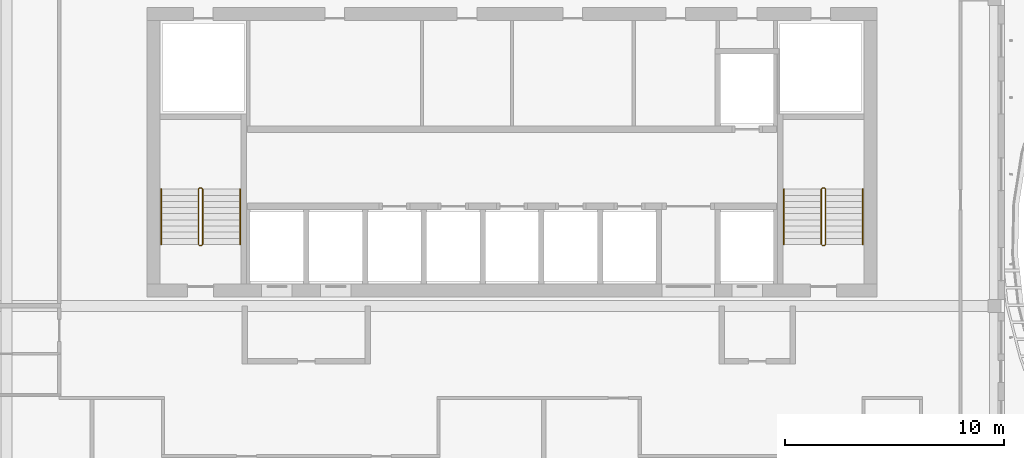
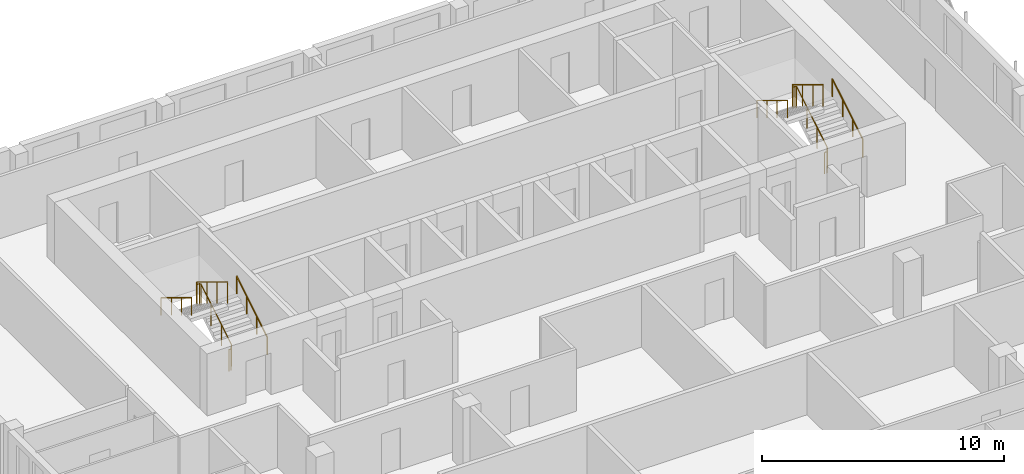
# One storey, part 17 of 18: 6 railings.
"""IFC4 building model written with IfcOpenShell, lengths in metres."""

from ifc_helpers import new_model, si_unit, direction, frame, origin, origin_2d, place, context, subcontext, project, spatial, circle, extrude, material, type_object, element, save


model = new_model("IFC4")

# Units and contexts
model_context = context("Model", 3, precision=1e-05, world=origin(), true_north=direction((0.0, 1.0)))
body_context = subcontext(model_context, "Body", "Model", "MODEL_VIEW")
ifc_project = project(units=[si_unit("LENGTHUNIT", "METRE"), si_unit("AREAUNIT", "SQUARE_METRE"), si_unit("VOLUMEUNIT", "CUBIC_METRE"), si_unit("PLANEANGLEUNIT", "RADIAN"), si_unit("MASSUNIT", "GRAM", prefix="KILO")], contexts=[model_context])

# Site, building, storey
site_placement = place(None, origin())
site = spatial("IfcSite", under=ifc_project, at=site_placement, CompositionType="ELEMENT")
building_placement = place(site_placement, origin())
building = spatial("IfcBuilding", under=site, at=building_placement, Name="Kilnfold Tower and Market Hall", CompositionType="ELEMENT")
storey_placement = place(building_placement, frame((0.0, 0.0, 312.0)))
storey = spatial("IfcBuildingStorey", under=building, at=storey_placement, Name="L78", CompositionType="ELEMENT", Elevation=312.0)

# Railings
ifc_material_1 = material(Name="Stainless steel 316", Category="steel")
railing_type_1 = type_object("IfcRailingType", Name="CORE STAIR GUARD 1100", PredefinedType="GUARDRAIL", material=ifc_material_1)
railing_1_placement = place(storey_placement, frame((-13.199951171875, 10.75, 0.0)))
element("IfcRailing", 1, at=railing_1_placement, inside=storey, type_object=railing_type_1, Name="L78 ST1 stair guard 1", PredefinedType="GUARDRAIL", context=body_context, shape_type="SweptSolid", body=[
    extrude(circle(Radius=0.02392578125, at=origin_2d()), frame((0.0, 0.0, 1.076171875), z_axis=(1.0, 0.0, 0.0), x_axis=(0.0, 1.0, 0.0)), (0.0, 0.0, 1.0), 0.099853515625),
    extrude(circle(Radius=0.02392578125, at=origin_2d()), frame((0.099853515625, 0.0, 1.076171875), z_axis=(0.271895245746, 0.271895245746, 0.923117517265), x_axis=(-0.707106781187, 0.707106781187, 0.0)), (0.0, 0.0, 1.0), 0.18408203125),
    extrude(circle(Radius=0.02392578125, at=origin_2d()), frame((0.14990234375, 0.050048828125, 1.24609375), z_axis=(0.0, 0.85478489116, 0.518982456201), x_axis=(-1.0, 0.0, 0.0)), (0.0, 0.0, 1.0), 2.9482421875),
    extrude(circle(Radius=0.02392578125, at=origin_2d()), frame((0.14990234375, 2.570068359375, 2.77587890625), z_axis=(-0.707106781187, 0.707106781187, 0.0), x_axis=(-0.707106781187, -0.707106781187, 0.0)), (0.0, 0.0, 1.0), 0.07080078125),
    extrude(circle(Radius=0.02392578125, at=origin_2d()), frame((0.099853515625, 2.6201171875, 2.77587890625), z_axis=(-1.0, 0.0, 0.0), x_axis=(0.0, -1.0, 0.0)), (0.0, 0.0, 1.0), 0.099853515625),
    extrude(circle(Radius=0.02392578125, at=origin_2d()), frame((0.0, 2.6201171875, 2.77587890625), z_axis=(-0.271562723297, -0.271562723297, 0.923313259209), x_axis=(0.707106781187, -0.707106781187, 0.0)), (0.0, 0.0, 1.0), 0.184326171875),
    extrude(circle(Radius=0.02392578125, at=origin_2d()), frame((-0.050048828125, 2.570068359375, 2.9462890625), z_axis=(0.0, -0.854821627497, 0.518921945155), x_axis=(1.0, 0.0, 0.0)), (0.0, 0.0, 1.0), 2.947998046875),
    extrude(circle(Radius=0.02099609375, at=origin_2d()), origin(), (0.0, 0.0, 1.0), 1.052001953125),
    extrude(circle(Radius=0.02099609375, at=origin_2d()), frame((0.099853515625, 0.0, 0.0)), (0.0, 0.0, 1.0), 1.052001953125),
    extrude(circle(Radius=0.02099609375, at=origin_2d()), frame((0.14990234375, 0.050048828125, 0.169921875)), (0.0, 0.0, 1.0), 1.052001953125),
    extrude(circle(Radius=0.02099609375, at=origin_2d()), frame((0.14990234375, 0.89013671875, 0.679931640625)), (0.0, 0.0, 1.0), 1.052001953125),
    extrude(circle(Radius=0.02099609375, at=origin_2d()), frame((0.14990234375, 1.72998046875, 1.18994140625)), (0.0, 0.0, 1.0), 1.052001953125),
    extrude(circle(Radius=0.02099609375, at=origin_2d()), frame((0.14990234375, 2.570068359375, 1.699951171875)), (0.0, 0.0, 1.0), 1.052001953125),
    extrude(circle(Radius=0.02099609375, at=origin_2d()), frame((0.099853515625, 2.6201171875, 1.699951171875)), (0.0, 0.0, 1.0), 1.052001953125),
    extrude(circle(Radius=0.02099609375, at=origin_2d()), frame((0.0, 2.6201171875, 1.699951171875)), (0.0, 0.0, 1.0), 1.052001953125),
    extrude(circle(Radius=0.02099609375, at=origin_2d()), frame((-0.050048828125, 2.570068359375, 1.8701171875)), (0.0, 0.0, 1.0), 1.052001953125),
    extrude(circle(Radius=0.02099609375, at=origin_2d()), frame((-0.050048828125, 1.72998046875, 2.380126953125)), (0.0, 0.0, 1.0), 1.052001953125),
    extrude(circle(Radius=0.02099609375, at=origin_2d()), frame((-0.050048828125, 0.89013671875, 2.889892578125)), (0.0, 0.0, 1.0), 1.052001953125),
    extrude(circle(Radius=0.02099609375, at=origin_2d()), frame((-0.050048828125, 0.050048828125, 3.39990234375)), (0.0, 0.0, 1.0), 1.052001953125),
])
railing_2_placement = place(storey_placement, frame((15.199951171875, 10.75, 0.0)))
element("IfcRailing", 2, at=railing_2_placement, inside=storey, type_object=railing_type_1, Name="L78 ST2 stair guard 1", PredefinedType="GUARDRAIL", context=body_context, shape_type="SweptSolid", body=[
    extrude(circle(Radius=0.02392578125, at=origin_2d()), frame((0.0, 0.0, 1.076171875), z_axis=(1.0, 0.0, 0.0), x_axis=(0.0, 1.0, 0.0)), (0.0, 0.0, 1.0), 0.10009765625),
    extrude(circle(Radius=0.02392578125, at=origin_2d()), frame((0.10009765625, 0.0, 1.076171875), z_axis=(0.271895245746, 0.271895245746, 0.923117517265), x_axis=(-0.707106781187, 0.707106781187, 0.0)), (0.0, 0.0, 1.0), 0.18408203125),
    extrude(circle(Radius=0.02392578125, at=origin_2d()), frame((0.150146484375, 0.050048828125, 1.24609375), z_axis=(0.0, 0.85478489116, 0.518982456201), x_axis=(-1.0, 0.0, 0.0)), (0.0, 0.0, 1.0), 2.9482421875),
    extrude(circle(Radius=0.02392578125, at=origin_2d()), frame((0.150146484375, 2.570068359375, 2.77587890625), z_axis=(-0.707106781187, 0.707106781187, 0.0), x_axis=(-0.707106781187, -0.707106781187, 0.0)), (0.0, 0.0, 1.0), 0.07080078125),
    extrude(circle(Radius=0.02392578125, at=origin_2d()), frame((0.10009765625, 2.6201171875, 2.77587890625), z_axis=(-1.0, 0.0, 0.0), x_axis=(0.0, -1.0, 0.0)), (0.0, 0.0, 1.0), 0.10009765625),
    extrude(circle(Radius=0.02392578125, at=origin_2d()), frame((0.0, 2.6201171875, 2.77587890625), z_axis=(-0.271562723297, -0.271562723297, 0.923313259209), x_axis=(0.707106781187, -0.707106781187, 0.0)), (0.0, 0.0, 1.0), 0.184326171875),
    extrude(circle(Radius=0.02392578125, at=origin_2d()), frame((-0.050048828125, 2.570068359375, 2.9462890625), z_axis=(0.0, -0.854821627497, 0.518921945155), x_axis=(1.0, 0.0, 0.0)), (0.0, 0.0, 1.0), 2.947998046875),
    extrude(circle(Radius=0.02099609375, at=origin_2d()), origin(), (0.0, 0.0, 1.0), 1.052001953125),
    extrude(circle(Radius=0.02099609375, at=origin_2d()), frame((0.10009765625, 0.0, 0.0)), (0.0, 0.0, 1.0), 1.052001953125),
    extrude(circle(Radius=0.02099609375, at=origin_2d()), frame((0.150146484375, 0.050048828125, 0.169921875)), (0.0, 0.0, 1.0), 1.052001953125),
    extrude(circle(Radius=0.02099609375, at=origin_2d()), frame((0.150146484375, 0.89013671875, 0.679931640625)), (0.0, 0.0, 1.0), 1.052001953125),
    extrude(circle(Radius=0.02099609375, at=origin_2d()), frame((0.150146484375, 1.72998046875, 1.18994140625)), (0.0, 0.0, 1.0), 1.052001953125),
    extrude(circle(Radius=0.02099609375, at=origin_2d()), frame((0.150146484375, 2.570068359375, 1.699951171875)), (0.0, 0.0, 1.0), 1.052001953125),
    extrude(circle(Radius=0.02099609375, at=origin_2d()), frame((0.10009765625, 2.6201171875, 1.699951171875)), (0.0, 0.0, 1.0), 1.052001953125),
    extrude(circle(Radius=0.02099609375, at=origin_2d()), frame((0.0, 2.6201171875, 1.699951171875)), (0.0, 0.0, 1.0), 1.052001953125),
    extrude(circle(Radius=0.02099609375, at=origin_2d()), frame((-0.050048828125, 2.570068359375, 1.8701171875)), (0.0, 0.0, 1.0), 1.052001953125),
    extrude(circle(Radius=0.02099609375, at=origin_2d()), frame((-0.050048828125, 1.72998046875, 2.380126953125)), (0.0, 0.0, 1.0), 1.052001953125),
    extrude(circle(Radius=0.02099609375, at=origin_2d()), frame((-0.050048828125, 0.89013671875, 2.889892578125)), (0.0, 0.0, 1.0), 1.052001953125),
    extrude(circle(Radius=0.02099609375, at=origin_2d()), frame((-0.050048828125, 0.050048828125, 3.39990234375)), (0.0, 0.0, 1.0), 1.052001953125),
])
ifc_material_2 = material(Name="Stainless steel 316", Category="steel")
railing_type_2 = type_object("IfcRailingType", Name="CORE STAIR HANDRAIL 900", PredefinedType="HANDRAIL", material=ifc_material_2)
railing_3_placement = place(storey_placement, frame((-11.35009765625, 10.800048828125, 0.169921875)))
element("IfcRailing", 3, at=railing_3_placement, inside=storey, type_object=railing_type_2, Name="L78 ST1 stair handrail 1", PredefinedType="HANDRAIL", context=body_context, shape_type="SweptSolid", body=[
    extrude(circle(Radius=0.02392578125, at=origin_2d()), frame((0.0, 0.0, 0.8759765625), z_axis=(0.0, 0.85478489116, 0.518982456201), x_axis=(-1.0, 0.0, 0.0)), (0.0, 0.0, 1.0), 2.9482421875),
    extrude(circle(Radius=0.02099609375, at=origin_2d()), origin(), (0.0, 0.0, 1.0), 0.851806640625),
    extrude(circle(Radius=0.02099609375, at=origin_2d()), frame((0.0, 0.840087890625, 0.510009765625)), (0.0, 0.0, 1.0), 0.851806640625),
    extrude(circle(Radius=0.02099609375, at=origin_2d()), frame((0.0, 1.679931640625, 1.02001953125)), (0.0, 0.0, 1.0), 0.851806640625),
    extrude(circle(Radius=0.02099609375, at=origin_2d()), frame((0.0, 2.52001953125, 1.530029296875)), (0.0, 0.0, 1.0), 0.851806640625),
])
railing_4_placement = place(storey_placement, frame((-14.949951171875, 13.320068359375, 1.8701171875)))
element("IfcRailing", 4, at=railing_4_placement, inside=storey, type_object=railing_type_2, Name="L78 ST1 stair handrail 2", PredefinedType="HANDRAIL", context=body_context, shape_type="SweptSolid", body=[
    extrude(circle(Radius=0.02392578125, at=origin_2d()), frame((0.0, 0.0, 0.8759765625), z_axis=(0.0, -0.854821627497, 0.518921945155), x_axis=(1.0, 0.0, 0.0)), (0.0, 0.0, 1.0), 2.947998046875),
    extrude(circle(Radius=0.02099609375, at=origin_2d()), origin(), (0.0, 0.0, 1.0), 0.851806640625),
    extrude(circle(Radius=0.02099609375, at=origin_2d()), frame((0.0, -0.840087890625, 0.510009765625)), (0.0, 0.0, 1.0), 0.851806640625),
    extrude(circle(Radius=0.02099609375, at=origin_2d()), frame((0.0, -1.679931640625, 1.019775390625)), (0.0, 0.0, 1.0), 0.851806640625),
    extrude(circle(Radius=0.02099609375, at=origin_2d()), frame((0.0, -2.52001953125, 1.52978515625)), (0.0, 0.0, 1.0), 0.851806640625),
])
railing_5_placement = place(storey_placement, frame((17.050048828125, 10.800048828125, 0.169921875)))
element("IfcRailing", 5, at=railing_5_placement, inside=storey, type_object=railing_type_2, Name="L78 ST2 stair handrail 1", PredefinedType="HANDRAIL", context=body_context, shape_type="SweptSolid", body=[
    extrude(circle(Radius=0.02392578125, at=origin_2d()), frame((0.0, 0.0, 0.8759765625), z_axis=(0.0, 0.85478489116, 0.518982456201), x_axis=(-1.0, 0.0, 0.0)), (0.0, 0.0, 1.0), 2.9482421875),
    extrude(circle(Radius=0.02099609375, at=origin_2d()), origin(), (0.0, 0.0, 1.0), 0.851806640625),
    extrude(circle(Radius=0.02099609375, at=origin_2d()), frame((0.0, 0.840087890625, 0.510009765625)), (0.0, 0.0, 1.0), 0.851806640625),
    extrude(circle(Radius=0.02099609375, at=origin_2d()), frame((0.0, 1.679931640625, 1.02001953125)), (0.0, 0.0, 1.0), 0.851806640625),
    extrude(circle(Radius=0.02099609375, at=origin_2d()), frame((0.0, 2.52001953125, 1.530029296875)), (0.0, 0.0, 1.0), 0.851806640625),
])
railing_6_placement = place(storey_placement, frame((13.449951171875, 13.320068359375, 1.8701171875)))
element("IfcRailing", 6, at=railing_6_placement, inside=storey, type_object=railing_type_2, Name="L78 ST2 stair handrail 2", PredefinedType="HANDRAIL", context=body_context, shape_type="SweptSolid", body=[
    extrude(circle(Radius=0.02392578125, at=origin_2d()), frame((0.0, 0.0, 0.8759765625), z_axis=(0.0, -0.854821627497, 0.518921945155), x_axis=(1.0, 0.0, 0.0)), (0.0, 0.0, 1.0), 2.947998046875),
    extrude(circle(Radius=0.02099609375, at=origin_2d()), origin(), (0.0, 0.0, 1.0), 0.851806640625),
    extrude(circle(Radius=0.02099609375, at=origin_2d()), frame((0.0, -0.840087890625, 0.510009765625)), (0.0, 0.0, 1.0), 0.851806640625),
    extrude(circle(Radius=0.02099609375, at=origin_2d()), frame((0.0, -1.679931640625, 1.019775390625)), (0.0, 0.0, 1.0), 0.851806640625),
    extrude(circle(Radius=0.02099609375, at=origin_2d()), frame((0.0, -2.52001953125, 1.52978515625)), (0.0, 0.0, 1.0), 0.851806640625),
])

save(model, "model.ifc")
